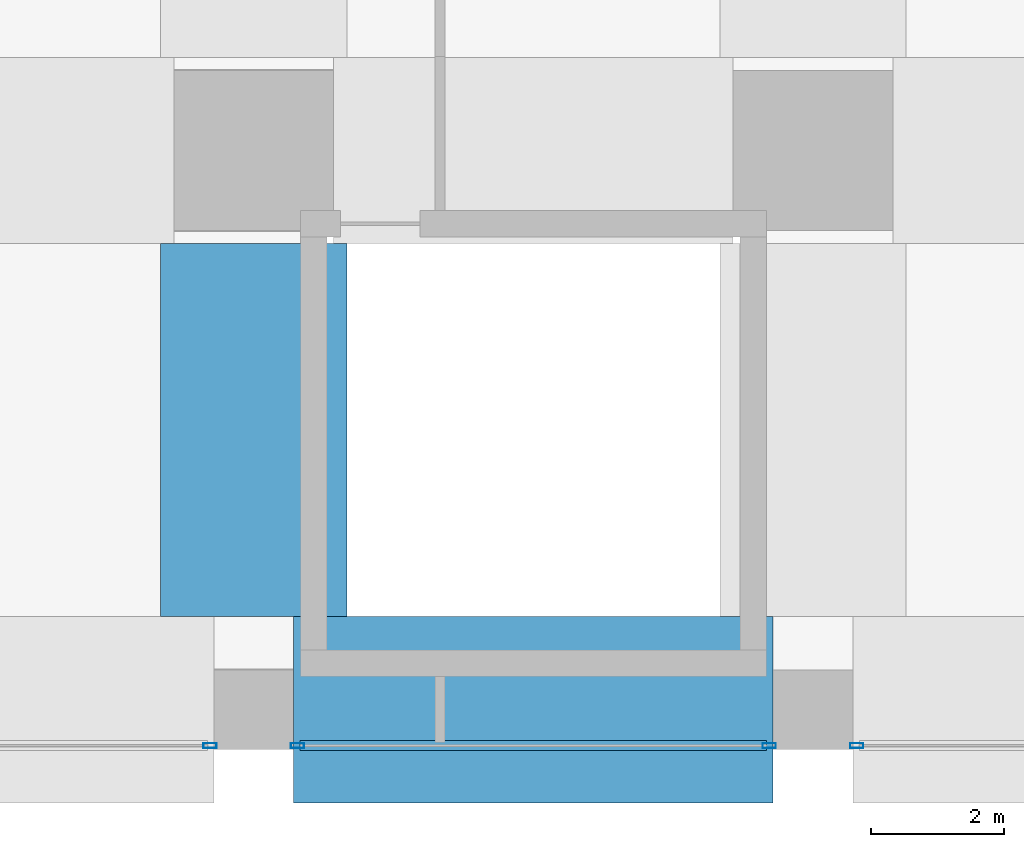
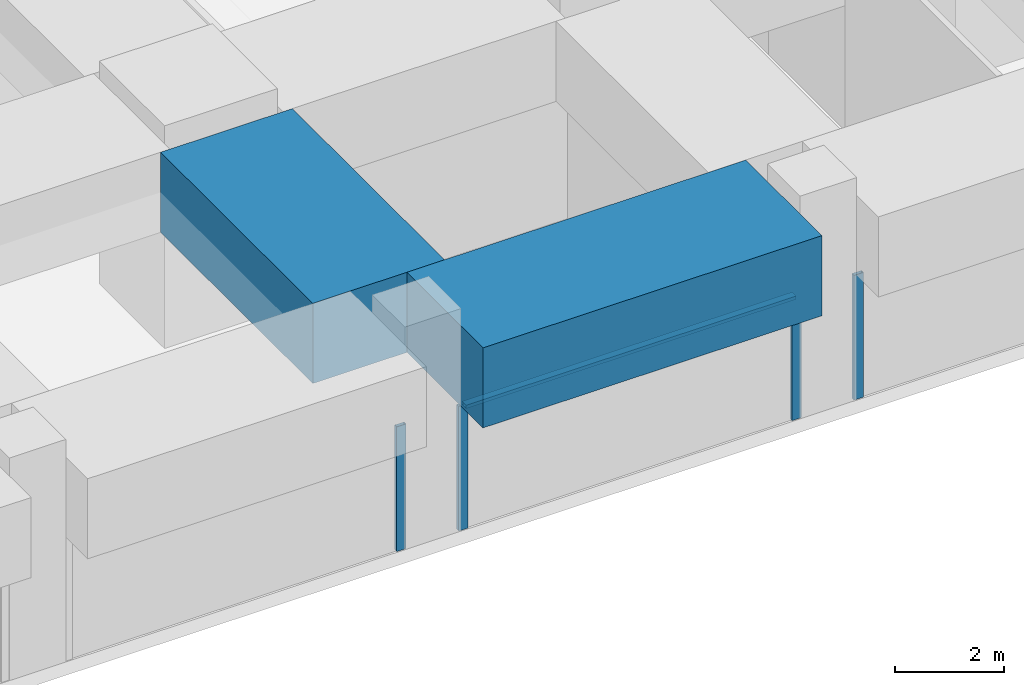
# One storey, part 15 of 52: 5 members, 2 beams, 3 elements without a shape of their own.
"""IFC4 building model written with IfcOpenShell, lengths in metres."""

from ifc_helpers import new_model, si_unit, direction, frame, origin, origin_2d, place, context, subcontext, project, spatial, rectangle, hollow_rectangle, extrude, material, material_profile, profile_set, type_object, element, aggregate, save


model = new_model("IFC4")

# Units and contexts
model_context = context("Model", 3, precision=1e-05, world=origin(), true_north=direction((0.0, 1.0)))
body_context = subcontext(model_context, "Body", "Model", "MODEL_VIEW")
ifc_project = project(units=[si_unit("LENGTHUNIT", "METRE"), si_unit("AREAUNIT", "SQUARE_METRE"), si_unit("VOLUMEUNIT", "CUBIC_METRE"), si_unit("PLANEANGLEUNIT", "RADIAN"), si_unit("MASSUNIT", "GRAM", prefix="KILO")], contexts=[model_context])

# Site, building, storey
site_placement = place(None, origin())
site = spatial("IfcSite", under=ifc_project, at=site_placement, CompositionType="ELEMENT")
building_placement = place(site_placement, origin())
building = spatial("IfcBuilding", under=site, at=building_placement, Name="Rekha Terrace Tower", CompositionType="ELEMENT")
storey_placement = place(building_placement, frame((0.0, 0.0, 20.39990234375)))
storey = spatial("IfcBuildingStorey", under=building, at=storey_placement, Name="L04", CompositionType="ELEMENT", Elevation=20.39990234375)

# Curtain wall, member
ifc_material_1 = material(Name="Aluminium framing", Category="aluminium")
curtain_wall_type = type_object("IfcCurtainWallType", Name="CW4 podium shopfront glazing", PredefinedType="USERDEFINED", material=ifc_material_1)
curtain_wall_1_placement = place(storey_placement, origin())
curtain_wall_1 = element("IfcCurtainWall", 1, at=curtain_wall_1_placement, inside=storey, type_object=curtain_wall_type, Name="CW4 shopfront curtain wall", ObjectType="SHOPFRONT CURTAIN WALL", PredefinedType="USERDEFINED")
ifc_material_2 = material(Name="Aluminium mullion section", Category="aluminium")
ifc_material_profile_1 = material_profile(ifc_material_2, hollow_rectangle(XDim=0.074951171875, YDim=0.199951171875, WallThickness=0.00390625, at=origin_2d()), Name="AL RHS 75x200")
ifc_profile_set_1 = profile_set([ifc_material_profile_1], Name="Aluminium mullion section")
member_type_1 = type_object("IfcMemberType", Name="CW4 mullion RHS 75 x 200", PredefinedType="MULLION", material=ifc_profile_set_1)
member_1_placement = place(storey_placement, frame((49.742431640625, -0.5400390625, 0.0), z_axis=(0.0, 0.0, 1.0), x_axis=(0.0, 1.0, 0.0)))
member_1 = element("IfcMember", 2, at=member_1_placement, type_object=member_type_1, Name="CW4 mullion 2", PredefinedType="MULLION", context=body_context, shape_type="SweptSolid", body=[
    extrude(hollow_rectangle(XDim=0.074951171875, YDim=0.199951171875, WallThickness=0.00390625, at=origin_2d()), origin(), (0.0, 0.0, 1.0), 2.800048828125),
])
aggregate(curtain_wall_1, [member_1])

# Curtain wall, members
curtain_wall_2_placement = place(storey_placement, origin())
curtain_wall_2 = element("IfcCurtainWall", 3, at=curtain_wall_2_placement, inside=storey, type_object=curtain_wall_type, Name="CW4 shopfront curtain wall", ObjectType="SHOPFRONT CURTAIN WALL", PredefinedType="USERDEFINED")
member_2_placement = place(storey_placement, frame((51.0576171875, -0.5400390625, 0.0), z_axis=(0.0, 0.0, 1.0), x_axis=(0.0, 1.0, 0.0)))
member_2 = element("IfcMember", 4, at=member_2_placement, type_object=member_type_1, Name="CW4 mullion 1", PredefinedType="MULLION", context=body_context, shape_type="SweptSolid", body=[
    extrude(hollow_rectangle(XDim=0.074951171875, YDim=0.199951171875, WallThickness=0.00390625, at=origin_2d()), origin(), (0.0, 0.0, 1.0), 2.800048828125),
])
member_3_placement = place(storey_placement, frame((58.142578125, -0.5400390625, 0.0), z_axis=(0.0, 0.0, 1.0), x_axis=(0.0, 1.0, 0.0)))
member_3 = element("IfcMember", 5, at=member_3_placement, type_object=member_type_1, Name="CW4 mullion 2", PredefinedType="MULLION", context=body_context, shape_type="SweptSolid", body=[
    extrude(hollow_rectangle(XDim=0.074951171875, YDim=0.199951171875, WallThickness=0.00390625, at=origin_2d()), origin(), (0.0, 0.0, 1.0), 2.800048828125),
])

# Curtain wall, member
curtain_wall_3_placement = place(storey_placement, origin())
curtain_wall_3 = element("IfcCurtainWall", 6, at=curtain_wall_3_placement, inside=storey, type_object=curtain_wall_type, Name="CW4 shopfront curtain wall", ObjectType="SHOPFRONT CURTAIN WALL", PredefinedType="USERDEFINED")
member_4_placement = place(storey_placement, frame((59.45751953125, -0.5400390625, 0.0), z_axis=(0.0, 0.0, 1.0), x_axis=(0.0, 1.0, 0.0)))
member_4 = element("IfcMember", 7, at=member_4_placement, type_object=member_type_1, Name="CW4 mullion 1", PredefinedType="MULLION", context=body_context, shape_type="SweptSolid", body=[
    extrude(hollow_rectangle(XDim=0.074951171875, YDim=0.199951171875, WallThickness=0.00390625, at=origin_2d()), origin(), (0.0, 0.0, 1.0), 2.800048828125),
])
aggregate(curtain_wall_3, [member_4])

# Member
ifc_material_3 = material(Name="Aluminium transom section", Category="aluminium")
ifc_material_profile_2 = material_profile(ifc_material_3, hollow_rectangle(XDim=0.14990234375, YDim=0.074951171875, WallThickness=0.0029296875, at=origin_2d()), Name="AL RHS 150x75")
ifc_profile_set_2 = profile_set([ifc_material_profile_2], Name="Aluminium transom section")
member_type_2 = type_object("IfcMemberType", Name="CW4 transom RHS 75 x 150", PredefinedType="USERDEFINED", material=ifc_profile_set_2)
member_5_placement = place(storey_placement, frame((51.094970703125, -0.5400390625, 2.7626953125), z_axis=(1.0, 0.0, 0.0), x_axis=(0.0, 1.0, 0.0)))
member_5 = element("IfcMember", 8, at=member_5_placement, type_object=member_type_2, Name="CW4 transom 1.2", ObjectType="TRANSOM", PredefinedType="USERDEFINED", context=body_context, shape_type="SweptSolid", body=[
    extrude(hollow_rectangle(XDim=0.14990234375, YDim=0.074951171875, WallThickness=0.0029296875, at=origin_2d()), origin(), (0.0, 0.0, 1.0), 7.010009765625),
])

aggregate(curtain_wall_2, [member_2, member_3, member_5])

# Beams
ifc_material_4 = material(Name="Concrete M70", Category="concrete")
ifc_material_profile_3 = material_profile(ifc_material_4, rectangle(XDim=2.800048828125, YDim=1.800048828125, at=origin_2d()), Name="RC 2800x1800")
ifc_profile_set_3 = profile_set([ifc_material_profile_3], Name="Concrete M70")
beam_type = type_object("IfcBeamType", Name="G2 2800x1800 podium roof band beam", PredefinedType="BEAM", material=ifc_profile_set_3)
beam_1_placement = place(storey_placement, frame((51.0, 0.0, 3.7001953125), z_axis=(1.0, 0.0, 0.0), x_axis=(0.0, 1.0, 0.0)))
element("IfcBeam", 9, at=beam_1_placement, inside=storey, type_object=beam_type, Name="Beam G2 7A-8A under L05", PredefinedType="BEAM", context=body_context, shape_type="SweptSolid", body=[
    extrude(rectangle(XDim=2.800048828125, YDim=1.800048828125, at=origin_2d()), origin(), (0.0, 0.0, 1.0), 7.199951171875),
])
beam_2_placement = place(storey_placement, frame((50.39990234375, 1.39990234375, 3.7001953125), z_axis=(0.0, 1.0, 0.0), x_axis=(-1.0, 0.0, 0.0)))
element("IfcBeam", 10, at=beam_2_placement, inside=storey, type_object=beam_type, Name="Beam G2 7A-7B under L05", PredefinedType="BEAM", context=body_context, shape_type="SweptSolid", body=[
    extrude(rectangle(XDim=2.800048828125, YDim=1.800048828125, at=origin_2d()), origin(), (0.0, 0.0, 1.0), 5.60009765625),
])

save(model, "model.ifc")
